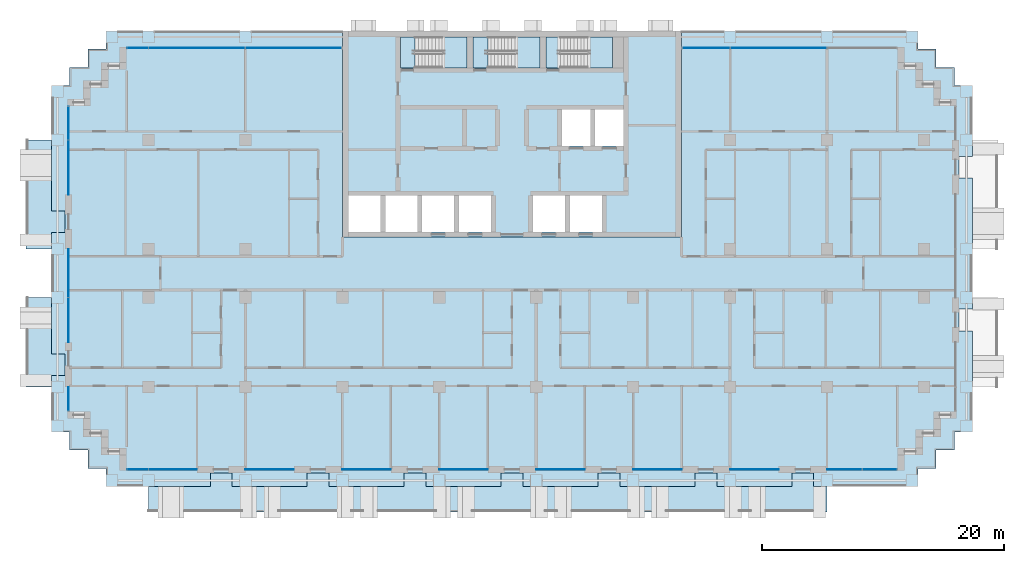
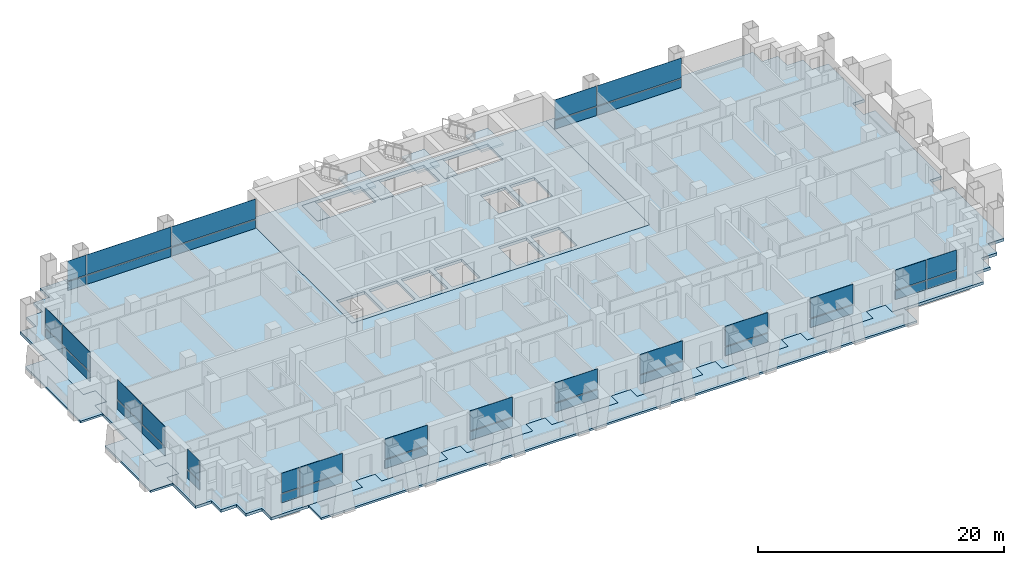
# One storey, part 7 of 18: 40 plates, 11 slabs, 16 elements without a shape of their own.
"""IFC4 building model written with IfcOpenShell, lengths in metres."""

from ifc_helpers import new_model, si_unit, direction, frame, origin, origin_2d, place, context, subcontext, project, spatial, polyline, rectangle, outline, extrude, material, layer, layer_set, type_object, element, aggregate, save


model = new_model("IFC4")

# Units and contexts
model_context = context("Model", 3, precision=1e-05, world=origin(), true_north=direction((0.0, 1.0)))
body_context = subcontext(model_context, "Body", "Model", "MODEL_VIEW")
ifc_project = project(units=[si_unit("LENGTHUNIT", "METRE"), si_unit("AREAUNIT", "SQUARE_METRE"), si_unit("VOLUMEUNIT", "CUBIC_METRE"), si_unit("PLANEANGLEUNIT", "RADIAN"), si_unit("MASSUNIT", "GRAM", prefix="KILO")], contexts=[model_context])

# Site, building, storey
site_placement = place(None, origin())
site = spatial("IfcSite", under=ifc_project, at=site_placement, CompositionType="ELEMENT")
building_placement = place(site_placement, origin())
building = spatial("IfcBuilding", under=site, at=building_placement, Name="Vidyagriha Tower", CompositionType="ELEMENT")
storey_placement = place(building_placement, frame((0.0, 0.0, 48.0)))
storey = spatial("IfcBuildingStorey", under=building, at=storey_placement, Name="L12", CompositionType="ELEMENT", Elevation=48.0)

# Curtain wall, plate
ifc_material_1 = material(Name="Aluminium and glass curtain wall", Category="aluminium")
curtain_wall_type = type_object("IfcCurtainWallType", Name="Dwelling skin unitised curtain wall", PredefinedType="USERDEFINED", material=ifc_material_1)
curtain_wall_1_placement = place(storey_placement, origin())
curtain_wall_1 = element("IfcCurtainWall", 1, at=curtain_wall_1_placement, inside=storey, type_object=curtain_wall_type, Name="CW1 dwelling skin", ObjectType="UNITISED", PredefinedType="USERDEFINED")
ifc_material_2 = material(Name="Glass dark ceramic-fritted spandrel", Category="glass")
ifc_layer_1 = layer(ifc_material_2, 0.0400390625)
ifc_layer_set_1 = layer_set([ifc_layer_1], Name="Glass dark ceramic-fritted spandrel")
plate_type_1 = type_object("IfcPlateType", Name="Ceramic-fritted spandrel panel", PredefinedType="CURTAIN_PANEL", material=ifc_layer_set_1)
plate_1_placement = place(storey_placement, frame((16.017578125, 18.60009765625, 0.0), z_axis=(0.0, 0.0, 1.0), x_axis=(-1.0, 0.0, 0.0)))
plate_1 = element("IfcPlate", 2, at=plate_1_placement, type_object=plate_type_1, Name="CW1 panel 3.1", PredefinedType="CURTAIN_PANEL", context=body_context, shape_type="SweptSolid", body=[
    extrude(rectangle(XDim=3.89501953125, YDim=0.0400390625, at=origin_2d()), origin(), (0.0, 0.0, 1.0), 0.85009765625),
])

# Curtain wall, plates
curtain_wall_2_placement = place(storey_placement, origin())
curtain_wall_2 = element("IfcCurtainWall", 3, at=curtain_wall_2_placement, inside=storey, type_object=curtain_wall_type, Name="CW1 dwelling skin", ObjectType="UNITISED", PredefinedType="USERDEFINED")
plate_2_placement = place(storey_placement, frame((-18.017578125, 18.60009765625, 0.0), z_axis=(0.0, 0.0, 1.0), x_axis=(-1.0, 0.0, 0.0)))
plate_2 = element("IfcPlate", 4, at=plate_2_placement, type_object=plate_type_1, Name="CW1 panel 1.1", PredefinedType="CURTAIN_PANEL", context=body_context, shape_type="SweptSolid", body=[
    extrude(rectangle(XDim=7.89501953125, YDim=0.0400390625, at=origin_2d()), origin(), (0.0, 0.0, 1.0), 0.85009765625),
])
plate_3_placement = place(storey_placement, frame((-30.882568359375, 18.60009765625, 0.0), z_axis=(0.0, 0.0, 1.0), x_axis=(-1.0, 0.0, 0.0)))
plate_3 = element("IfcPlate", 5, at=plate_3_placement, type_object=plate_type_1, Name="CW1 panel 3.1", PredefinedType="CURTAIN_PANEL", context=body_context, shape_type="SweptSolid", body=[
    extrude(rectangle(XDim=1.695068359375, YDim=0.0400390625, at=origin_2d()), origin(), (0.0, 0.0, 1.0), 0.85009765625),
])

curtain_wall_3_placement = place(storey_placement, origin())
curtain_wall_3 = element("IfcCurtainWall", 6, at=curtain_wall_3_placement, inside=storey, type_object=curtain_wall_type, Name="CW1 dwelling skin", ObjectType="UNITISED", PredefinedType="USERDEFINED")
plate_4_placement = place(storey_placement, frame((-36.60009765625, 12.382568359375, 0.0), z_axis=(0.0, 0.0, 1.0), x_axis=(0.0, -1.0, 0.0)))
plate_4 = element("IfcPlate", 7, at=plate_4_placement, type_object=plate_type_1, Name="CW1 panel 1.1", PredefinedType="CURTAIN_PANEL", context=body_context, shape_type="SweptSolid", body=[
    extrude(rectangle(XDim=2.695068359375, YDim=0.0400390625, at=origin_2d()), origin(), (0.0, 0.0, 1.0), 0.85009765625),
])
plate_5_placement = place(storey_placement, frame((-36.60009765625, 8.732421875, 0.0), z_axis=(0.0, 0.0, 1.0), x_axis=(0.0, -1.0, 0.0)))
plate_5 = element("IfcPlate", 8, at=plate_5_placement, type_object=plate_type_1, Name="CW1 panel 2.1", PredefinedType="CURTAIN_PANEL", context=body_context, shape_type="SweptSolid", body=[
    extrude(rectangle(XDim=4.465087890625, YDim=0.0400390625, at=origin_2d()), origin(), (0.0, 0.0, 1.0), 0.85009765625),
])

# Curtain wall, plate
curtain_wall_4_placement = place(storey_placement, origin())
curtain_wall_4 = element("IfcCurtainWall", 9, at=curtain_wall_4_placement, inside=storey, type_object=curtain_wall_type, Name="CW1 dwelling skin", ObjectType="UNITISED", PredefinedType="USERDEFINED")
plate_6_placement = place(storey_placement, frame((-36.60009765625, -10.364990234375, 0.0), z_axis=(0.0, 0.0, 1.0), x_axis=(0.0, -1.0, 0.0)))
plate_6 = element("IfcPlate", 10, at=plate_6_placement, type_object=plate_type_1, Name="CW1 panel 1.1", PredefinedType="CURTAIN_PANEL", context=body_context, shape_type="SweptSolid", body=[
    extrude(rectangle(XDim=1.929931640625, YDim=0.0400390625, at=origin_2d()), origin(), (0.0, 0.0, 1.0), 0.85009765625),
])

# Curtain wall, plates
curtain_wall_5_placement = place(storey_placement, origin())
curtain_wall_5 = element("IfcCurtainWall", 11, at=curtain_wall_5_placement, inside=storey, type_object=curtain_wall_type, Name="CW1 dwelling skin", ObjectType="UNITISED", PredefinedType="USERDEFINED")
plate_7_placement = place(storey_placement, frame((-30.882568359375, -16.199951171875, 0.0)))
plate_7 = element("IfcPlate", 12, at=plate_7_placement, type_object=plate_type_1, Name="CW1 panel 1.1", PredefinedType="CURTAIN_PANEL", context=body_context, shape_type="SweptSolid", body=[
    extrude(rectangle(XDim=1.695068359375, YDim=0.0400390625, at=origin_2d()), origin(), (0.0, 0.0, 1.0), 0.85009765625),
])
plate_8_placement = place(storey_placement, frame((-27.982421875, -16.199951171875, 0.0)))
plate_8 = element("IfcPlate", 13, at=plate_8_placement, type_object=plate_type_1, Name="CW1 panel 2.1", PredefinedType="CURTAIN_PANEL", context=body_context, shape_type="SweptSolid", body=[
    extrude(rectangle(XDim=3.965087890625, YDim=0.0400390625, at=origin_2d()), origin(), (0.0, 0.0, 1.0), 0.85009765625),
])

# Curtain wall, plate
curtain_wall_6_placement = place(storey_placement, origin())
curtain_wall_6 = element("IfcCurtainWall", 14, at=curtain_wall_6_placement, inside=storey, type_object=curtain_wall_type, Name="CW1 dwelling skin", ObjectType="UNITISED", PredefinedType="USERDEFINED")
plate_9_placement = place(storey_placement, frame((-12.0, -16.199951171875, 0.0)))
plate_9 = element("IfcPlate", 15, at=plate_9_placement, type_object=plate_type_1, Name="CW1 panel 1.1", PredefinedType="CURTAIN_PANEL", context=body_context, shape_type="SweptSolid", body=[
    extrude(rectangle(XDim=4.0, YDim=0.0400390625, at=origin_2d()), origin(), (0.0, 0.0, 1.0), 0.85009765625),
])

curtain_wall_7_placement = place(storey_placement, origin())
curtain_wall_7 = element("IfcCurtainWall", 16, at=curtain_wall_7_placement, inside=storey, type_object=curtain_wall_type, Name="CW1 dwelling skin", ObjectType="UNITISED", PredefinedType="USERDEFINED")
plate_10_placement = place(storey_placement, frame((4.0, -16.199951171875, 0.0)))
plate_10 = element("IfcPlate", 17, at=plate_10_placement, type_object=plate_type_1, Name="CW1 panel 1.1", PredefinedType="CURTAIN_PANEL", context=body_context, shape_type="SweptSolid", body=[
    extrude(rectangle(XDim=4.0, YDim=0.0400390625, at=origin_2d()), origin(), (0.0, 0.0, 1.0), 0.85009765625),
])

curtain_wall_8_placement = place(storey_placement, origin())
curtain_wall_8 = element("IfcCurtainWall", 18, at=curtain_wall_8_placement, inside=storey, type_object=curtain_wall_type, Name="CW1 dwelling skin", ObjectType="UNITISED", PredefinedType="USERDEFINED")
plate_11_placement = place(storey_placement, frame((20.0, -16.199951171875, 0.0)))
plate_11 = element("IfcPlate", 19, at=plate_11_placement, type_object=plate_type_1, Name="CW1 panel 1.1", PredefinedType="CURTAIN_PANEL", context=body_context, shape_type="SweptSolid", body=[
    extrude(rectangle(XDim=4.0, YDim=0.0400390625, at=origin_2d()), origin(), (0.0, 0.0, 1.0), 0.85009765625),
])

curtain_wall_9_placement = place(storey_placement, origin())
curtain_wall_9 = element("IfcCurtainWall", 20, at=curtain_wall_9_placement, inside=storey, type_object=curtain_wall_type, Name="CW1 dwelling skin", ObjectType="UNITISED", PredefinedType="USERDEFINED")
plate_12_placement = place(storey_placement, frame((30.33251953125, -16.199951171875, 0.0)))
plate_12 = element("IfcPlate", 21, at=plate_12_placement, type_object=plate_type_1, Name="CW1 panel 2.1", PredefinedType="CURTAIN_PANEL", context=body_context, shape_type="SweptSolid", body=[
    extrude(rectangle(XDim=2.794921875, YDim=0.0400390625, at=origin_2d()), origin(), (0.0, 0.0, 1.0), 0.85009765625),
])

# Slab
ifc_material_3 = material(Name="Concrete C60/75", Category="concrete")
ifc_layer_2 = layer(ifc_material_3, 0.280029296875)
ifc_layer_set_2 = layer_set([ifc_layer_2], Name="Concrete C60/75")
slab_type_1 = type_object("IfcSlabType", Name="Core floor slab 280 mm", PredefinedType="FLOOR", material=ifc_layer_set_2)
slab_1_placement = place(storey_placement, frame((0.0, 0.0, -0.280029296875)))
element("IfcSlab", 22, at=slab_1_placement, inside=storey, type_object=slab_type_1, Name="L12 core floor 1", PredefinedType="FLOOR", context=body_context, shape_type="SweptSolid", body=[
    extrude(outline(polyline([(-14.0, 3.0), (-14.0, 20.0), (14.0, 20.0), (14.0, 3.0), (-14.0, 3.0)]), holes=[polyline([(9.199951171875, 13.5), (6.86669921875, 13.5), (6.86669921875, 10.5), (9.199951171875, 10.5), (9.199951171875, 13.5)]), polyline([(4.0, 19.5), (2.800048828125, 19.5), (2.800048828125, 16.949951171875), (4.0, 16.949951171875), (8.300048828125, 16.949951171875), (8.300048828125, 19.5), (4.0, 19.5)]), polyline([(7.4111328125, 6.39990234375), (4.7666015625, 6.39990234375), (4.7666015625, 3.39990234375), (7.4111328125, 3.39990234375), (7.4111328125, 6.39990234375)]), polyline([(6.466796875, 13.5), (4.13330078125, 13.5), (4.13330078125, 10.5), (6.466796875, 10.5), (6.466796875, 13.5)]), polyline([(1.72216796875, 6.39990234375), (1.72216796875, 3.39990234375), (4.36669921875, 3.39990234375), (4.36669921875, 6.39990234375), (1.72216796875, 6.39990234375)]), polyline([(-2.0, 16.949951171875), (2.300048828125, 16.949951171875), (2.300048828125, 19.5), (-2.0, 19.5), (-3.199951171875, 19.5), (-3.199951171875, 16.949951171875), (-2.0, 16.949951171875)]), polyline([(-1.72216796875, 6.39990234375), (-4.36669921875, 6.39990234375), (-4.36669921875, 3.39990234375), (-1.72216796875, 3.39990234375), (-1.72216796875, 6.39990234375)]), polyline([(-8.0, 19.5), (-9.199951171875, 19.5), (-9.199951171875, 16.949951171875), (-8.0, 16.949951171875), (-3.699951171875, 16.949951171875), (-3.699951171875, 19.5), (-8.0, 19.5)]), polyline([(-4.7666015625, 6.39990234375), (-7.4111328125, 6.39990234375), (-7.4111328125, 3.39990234375), (-4.7666015625, 3.39990234375), (-4.7666015625, 6.39990234375)]), polyline([(-7.81103515625, 6.39990234375), (-10.45556640625, 6.39990234375), (-10.45556640625, 3.39990234375), (-7.81103515625, 3.39990234375), (-7.81103515625, 6.39990234375)]), polyline([(-13.5, 6.39990234375), (-13.5, 3.39990234375), (-10.855712890625, 3.39990234375), (-10.855712890625, 6.39990234375), (-13.5, 6.39990234375)])]), origin(), (0.0, 0.0, 1.0), 0.280029296875),
])

# Plate
ifc_material_4 = material(Name="Glass dark ceramic-fritted", Category="glass")
ifc_layer_3 = layer(ifc_material_4, 0.028076171875)
ifc_layer_set_3 = layer_set([ifc_layer_3], Name="Glass dark ceramic-fritted")
plate_type_2 = type_object("IfcPlateType", Name="Dark ceramic-fritted vision glass panel", PredefinedType="CURTAIN_PANEL", material=ifc_layer_set_3)
plate_13_placement = place(storey_placement, frame((22.0, 18.60009765625, 0.9501953125), z_axis=(0.0, 0.0, 1.0), x_axis=(-1.0, 0.0, 0.0)))
plate_13 = element("IfcPlate", 23, at=plate_13_placement, type_object=plate_type_2, Name="CW1 panel 2.2", PredefinedType="CURTAIN_PANEL", context=body_context, shape_type="SweptSolid", body=[
    extrude(rectangle(XDim=7.929931640625, YDim=0.028076171875, at=origin_2d()), origin(), (0.0, 0.0, 1.0), 1.969970703125),
])

plate_14_placement = place(storey_placement, frame((16.017578125, 18.60009765625, 0.9501953125), z_axis=(0.0, 0.0, 1.0), x_axis=(-1.0, 0.0, 0.0)))
plate_14 = element("IfcPlate", 24, at=plate_14_placement, type_object=plate_type_2, Name="CW1 panel 3.2", PredefinedType="CURTAIN_PANEL", context=body_context, shape_type="SweptSolid", body=[
    extrude(rectangle(XDim=3.89501953125, YDim=0.028076171875, at=origin_2d()), origin(), (0.0, 0.0, 1.0), 1.969970703125),
])

plate_15_placement = place(storey_placement, frame((-18.017578125, 18.60009765625, 0.9501953125), z_axis=(0.0, 0.0, 1.0), x_axis=(-1.0, 0.0, 0.0)))
plate_15 = element("IfcPlate", 25, at=plate_15_placement, type_object=plate_type_2, Name="CW1 panel 1.2", PredefinedType="CURTAIN_PANEL", context=body_context, shape_type="SweptSolid", body=[
    extrude(rectangle(XDim=7.89501953125, YDim=0.028076171875, at=origin_2d()), origin(), (0.0, 0.0, 1.0), 1.969970703125),
])

plate_16_placement = place(storey_placement, frame((-26.0, 18.60009765625, 0.9501953125), z_axis=(0.0, 0.0, 1.0), x_axis=(-1.0, 0.0, 0.0)))
plate_16 = element("IfcPlate", 26, at=plate_16_placement, type_object=plate_type_2, Name="CW1 panel 2.2", PredefinedType="CURTAIN_PANEL", context=body_context, shape_type="SweptSolid", body=[
    extrude(rectangle(XDim=7.929931640625, YDim=0.028076171875, at=origin_2d()), origin(), (0.0, 0.0, 1.0), 1.969970703125),
])

plate_17_placement = place(storey_placement, frame((-30.882568359375, 18.60009765625, 0.9501953125), z_axis=(0.0, 0.0, 1.0), x_axis=(-1.0, 0.0, 0.0)))
plate_17 = element("IfcPlate", 27, at=plate_17_placement, type_object=plate_type_2, Name="CW1 panel 3.2", PredefinedType="CURTAIN_PANEL", context=body_context, shape_type="SweptSolid", body=[
    extrude(rectangle(XDim=1.695068359375, YDim=0.028076171875, at=origin_2d()), origin(), (0.0, 0.0, 1.0), 1.969970703125),
])

plate_18_placement = place(storey_placement, frame((-36.60009765625, 12.382568359375, 0.9501953125), z_axis=(0.0, 0.0, 1.0), x_axis=(0.0, -1.0, 0.0)))
plate_18 = element("IfcPlate", 28, at=plate_18_placement, type_object=plate_type_2, Name="CW1 panel 1.2", PredefinedType="CURTAIN_PANEL", context=body_context, shape_type="SweptSolid", body=[
    extrude(rectangle(XDim=2.695068359375, YDim=0.028076171875, at=origin_2d()), origin(), (0.0, 0.0, 1.0), 1.969970703125),
])

plate_19_placement = place(storey_placement, frame((-36.60009765625, 8.732421875, 0.9501953125), z_axis=(0.0, 0.0, 1.0), x_axis=(0.0, -1.0, 0.0)))
plate_19 = element("IfcPlate", 29, at=plate_19_placement, type_object=plate_type_2, Name="CW1 panel 2.2", PredefinedType="CURTAIN_PANEL", context=body_context, shape_type="SweptSolid", body=[
    extrude(rectangle(XDim=4.465087890625, YDim=0.028076171875, at=origin_2d()), origin(), (0.0, 0.0, 1.0), 1.969970703125),
])

aggregate(curtain_wall_3, [plate_4, plate_18, plate_5, plate_19])

# Curtain wall, plates
curtain_wall_10_placement = place(storey_placement, origin())
curtain_wall_10 = element("IfcCurtainWall", 30, at=curtain_wall_10_placement, inside=storey, type_object=curtain_wall_type, Name="CW1 dwelling skin", ObjectType="UNITISED", PredefinedType="USERDEFINED")
plate_20_placement = place(storey_placement, frame((-36.60009765625, 0.017578125, 0.9501953125), z_axis=(0.0, 0.0, 1.0), x_axis=(0.0, -1.0, 0.0)))
plate_20 = element("IfcPlate", 31, at=plate_20_placement, type_object=plate_type_2, Name="CW1 panel 1.2", PredefinedType="CURTAIN_PANEL", context=body_context, shape_type="SweptSolid", body=[
    extrude(rectangle(XDim=3.965087890625, YDim=0.028076171875, at=origin_2d()), origin(), (0.0, 0.0, 1.0), 1.969970703125),
])
plate_21_placement = place(storey_placement, frame((-36.60009765625, -3.867431640625, 0.9501953125), z_axis=(0.0, 0.0, 1.0), x_axis=(0.0, -1.0, 0.0)))
plate_21 = element("IfcPlate", 32, at=plate_21_placement, type_object=plate_type_2, Name="CW1 panel 2.2", PredefinedType="CURTAIN_PANEL", context=body_context, shape_type="SweptSolid", body=[
    extrude(rectangle(XDim=3.6650390625, YDim=0.028076171875, at=origin_2d()), origin(), (0.0, 0.0, 1.0), 1.969970703125),
])

# Plate
plate_22_placement = place(storey_placement, frame((-36.60009765625, -10.364990234375, 0.9501953125), z_axis=(0.0, 0.0, 1.0), x_axis=(0.0, -1.0, 0.0)))
plate_22 = element("IfcPlate", 33, at=plate_22_placement, type_object=plate_type_2, Name="CW1 panel 1.2", PredefinedType="CURTAIN_PANEL", context=body_context, shape_type="SweptSolid", body=[
    extrude(rectangle(XDim=1.929931640625, YDim=0.028076171875, at=origin_2d()), origin(), (0.0, 0.0, 1.0), 1.969970703125),
])

aggregate(curtain_wall_4, [plate_6, plate_22])

plate_23_placement = place(storey_placement, frame((-30.882568359375, -16.199951171875, 0.9501953125)))
plate_23 = element("IfcPlate", 34, at=plate_23_placement, type_object=plate_type_2, Name="CW1 panel 1.2", PredefinedType="CURTAIN_PANEL", context=body_context, shape_type="SweptSolid", body=[
    extrude(rectangle(XDim=1.695068359375, YDim=0.028076171875, at=origin_2d()), origin(), (0.0, 0.0, 1.0), 1.969970703125),
])

plate_24_placement = place(storey_placement, frame((-27.982421875, -16.199951171875, 0.9501953125)))
plate_24 = element("IfcPlate", 35, at=plate_24_placement, type_object=plate_type_2, Name="CW1 panel 2.2", PredefinedType="CURTAIN_PANEL", context=body_context, shape_type="SweptSolid", body=[
    extrude(rectangle(XDim=3.965087890625, YDim=0.028076171875, at=origin_2d()), origin(), (0.0, 0.0, 1.0), 1.969970703125),
])

aggregate(curtain_wall_5, [plate_7, plate_23, plate_8, plate_24])

# Curtain wall, plate
curtain_wall_11_placement = place(storey_placement, origin())
curtain_wall_11 = element("IfcCurtainWall", 36, at=curtain_wall_11_placement, inside=storey, type_object=curtain_wall_type, Name="CW1 dwelling skin", ObjectType="UNITISED", PredefinedType="USERDEFINED")
plate_25_placement = place(storey_placement, frame((-20.0, -16.199951171875, 0.9501953125)))
plate_25 = element("IfcPlate", 37, at=plate_25_placement, type_object=plate_type_2, Name="CW1 panel 1.2", PredefinedType="CURTAIN_PANEL", context=body_context, shape_type="SweptSolid", body=[
    extrude(rectangle(XDim=4.0, YDim=0.028076171875, at=origin_2d()), origin(), (0.0, 0.0, 1.0), 1.969970703125),
])

# Plate
plate_26_placement = place(storey_placement, frame((-12.0, -16.199951171875, 0.9501953125)))
plate_26 = element("IfcPlate", 38, at=plate_26_placement, type_object=plate_type_2, Name="CW1 panel 1.2", PredefinedType="CURTAIN_PANEL", context=body_context, shape_type="SweptSolid", body=[
    extrude(rectangle(XDim=4.0, YDim=0.028076171875, at=origin_2d()), origin(), (0.0, 0.0, 1.0), 1.969970703125),
])

aggregate(curtain_wall_6, [plate_9, plate_26])

# Curtain wall, plate
curtain_wall_12_placement = place(storey_placement, origin())
curtain_wall_12 = element("IfcCurtainWall", 39, at=curtain_wall_12_placement, inside=storey, type_object=curtain_wall_type, Name="CW1 dwelling skin", ObjectType="UNITISED", PredefinedType="USERDEFINED")
plate_27_placement = place(storey_placement, frame((-4.0, -16.199951171875, 0.9501953125)))
plate_27 = element("IfcPlate", 40, at=plate_27_placement, type_object=plate_type_2, Name="CW1 panel 1.2", PredefinedType="CURTAIN_PANEL", context=body_context, shape_type="SweptSolid", body=[
    extrude(rectangle(XDim=4.0, YDim=0.028076171875, at=origin_2d()), origin(), (0.0, 0.0, 1.0), 1.969970703125),
])

# Plate
plate_28_placement = place(storey_placement, frame((4.0, -16.199951171875, 0.9501953125)))
plate_28 = element("IfcPlate", 41, at=plate_28_placement, type_object=plate_type_2, Name="CW1 panel 1.2", PredefinedType="CURTAIN_PANEL", context=body_context, shape_type="SweptSolid", body=[
    extrude(rectangle(XDim=4.0, YDim=0.028076171875, at=origin_2d()), origin(), (0.0, 0.0, 1.0), 1.969970703125),
])

aggregate(curtain_wall_7, [plate_10, plate_28])

# Curtain wall, plate
curtain_wall_13_placement = place(storey_placement, origin())
curtain_wall_13 = element("IfcCurtainWall", 42, at=curtain_wall_13_placement, inside=storey, type_object=curtain_wall_type, Name="CW1 dwelling skin", ObjectType="UNITISED", PredefinedType="USERDEFINED")
plate_29_placement = place(storey_placement, frame((12.0, -16.199951171875, 0.9501953125)))
plate_29 = element("IfcPlate", 43, at=plate_29_placement, type_object=plate_type_2, Name="CW1 panel 1.2", PredefinedType="CURTAIN_PANEL", context=body_context, shape_type="SweptSolid", body=[
    extrude(rectangle(XDim=4.0, YDim=0.028076171875, at=origin_2d()), origin(), (0.0, 0.0, 1.0), 1.969970703125),
])

# Plate
plate_30_placement = place(storey_placement, frame((20.0, -16.199951171875, 0.9501953125)))
plate_30 = element("IfcPlate", 44, at=plate_30_placement, type_object=plate_type_2, Name="CW1 panel 1.2", PredefinedType="CURTAIN_PANEL", context=body_context, shape_type="SweptSolid", body=[
    extrude(rectangle(XDim=4.0, YDim=0.028076171875, at=origin_2d()), origin(), (0.0, 0.0, 1.0), 1.969970703125),
])

aggregate(curtain_wall_8, [plate_11, plate_30])

plate_31_placement = place(storey_placement, frame((27.4326171875, -16.199951171875, 0.9501953125)))
plate_31 = element("IfcPlate", 45, at=plate_31_placement, type_object=plate_type_2, Name="CW1 panel 1.2", PredefinedType="CURTAIN_PANEL", context=body_context, shape_type="SweptSolid", body=[
    extrude(rectangle(XDim=2.864990234375, YDim=0.028076171875, at=origin_2d()), origin(), (0.0, 0.0, 1.0), 1.969970703125),
])

plate_32_placement = place(storey_placement, frame((30.33251953125, -16.199951171875, 0.9501953125)))
plate_32 = element("IfcPlate", 46, at=plate_32_placement, type_object=plate_type_2, Name="CW1 panel 2.2", PredefinedType="CURTAIN_PANEL", context=body_context, shape_type="SweptSolid", body=[
    extrude(rectangle(XDim=2.794921875, YDim=0.028076171875, at=origin_2d()), origin(), (0.0, 0.0, 1.0), 1.969970703125),
])

# Slabs
ifc_material_5 = material(Name="Concrete C40/50", Category="concrete")
ifc_layer_4 = layer(ifc_material_5, 0.280029296875)
ifc_layer_set_4 = layer_set([ifc_layer_4], Name="Concrete C40/50")
slab_type_2 = type_object("IfcSlabType", Name="Exit stair floor landing 280 mm", PredefinedType="LANDING", material=ifc_layer_set_4)
slab_2_placement = place(storey_placement, frame((0.0, 0.0, -0.280029296875)))
element("IfcSlab", 47, at=slab_2_placement, inside=storey, type_object=slab_type_2, Name="ST1 floor landing L12", PredefinedType="LANDING", context=body_context, shape_type="SweptSolid", body=[
    extrude(outline(polyline([(-9.199951171875, 16.949951171875), (-8.0, 16.949951171875), (-8.0, 19.5), (-9.199951171875, 19.5), (-9.199951171875, 16.949951171875)])), origin(), (0.0, 0.0, 1.0), 0.280029296875),
])
slab_3_placement = place(storey_placement, frame((0.0, 0.0, -0.280029296875)))
element("IfcSlab", 48, at=slab_3_placement, inside=storey, type_object=slab_type_2, Name="ST2 floor landing L12", PredefinedType="LANDING", context=body_context, shape_type="SweptSolid", body=[
    extrude(outline(polyline([(-3.199951171875, 16.949951171875), (-2.0, 16.949951171875), (-2.0, 19.5), (-3.199951171875, 19.5), (-3.199951171875, 16.949951171875)])), origin(), (0.0, 0.0, 1.0), 0.280029296875),
])
slab_4_placement = place(storey_placement, frame((0.0, 0.0, -0.280029296875)))
element("IfcSlab", 49, at=slab_4_placement, inside=storey, type_object=slab_type_2, Name="ST3 floor landing L12", PredefinedType="LANDING", context=body_context, shape_type="SweptSolid", body=[
    extrude(outline(polyline([(2.800048828125, 16.949951171875), (4.0, 16.949951171875), (4.0, 19.5), (2.800048828125, 19.5), (2.800048828125, 16.949951171875)])), origin(), (0.0, 0.0, 1.0), 0.280029296875),
])

# Stair, slab
ifc_material_6 = material(Name="Concrete C40/50", Category="concrete")
stair_type = type_object("IfcStairType", Name="Exit stair, half-turn, precast flights", PredefinedType="HALF_TURN_STAIR", material=ifc_material_6)
stair_1_placement = place(storey_placement, origin())
stair_1 = element("IfcStair", 50, at=stair_1_placement, inside=storey, type_object=stair_type, Name="L12 Exit Stair ST1", PredefinedType="HALF_TURN_STAIR")
ifc_material_7 = material(Name="Concrete C40/50", Category="concrete")
ifc_layer_5 = layer(ifc_material_7, 0.199951171875)
ifc_layer_set_5 = layer_set([ifc_layer_5], Name="Concrete C40/50")
slab_type_3 = type_object("IfcSlabType", Name="Exit stair landing 200 mm", PredefinedType="LANDING", material=ifc_layer_set_5)
slab_5_placement = place(storey_placement, frame((0.0, 0.0, 1.39990234375)))
slab_5 = element("IfcSlab", 51, at=slab_5_placement, type_object=slab_type_3, Name="ST1 landing 1", PredefinedType="LANDING", context=body_context, shape_type="SweptSolid", body=[
    extrude(outline(polyline([(-5.760009765625, 16.949951171875), (-3.699951171875, 16.949951171875), (-3.699951171875, 19.5), (-5.760009765625, 19.5), (-5.760009765625, 16.949951171875)])), origin(), (0.0, 0.0, 1.0), 0.2001953125),
])
aggregate(stair_1, [slab_5])

stair_2_placement = place(storey_placement, origin())
stair_2 = element("IfcStair", 52, at=stair_2_placement, inside=storey, type_object=stair_type, Name="L12 Exit Stair ST2", PredefinedType="HALF_TURN_STAIR")
slab_6_placement = place(storey_placement, frame((0.0, 0.0, 1.39990234375)))
slab_6 = element("IfcSlab", 53, at=slab_6_placement, type_object=slab_type_3, Name="ST2 landing 1", PredefinedType="LANDING", context=body_context, shape_type="SweptSolid", body=[
    extrude(outline(polyline([(0.239990234375, 16.949951171875), (2.300048828125, 16.949951171875), (2.300048828125, 19.5), (0.239990234375, 19.5), (0.239990234375, 16.949951171875)])), origin(), (0.0, 0.0, 1.0), 0.2001953125),
])
aggregate(stair_2, [slab_6])

stair_3_placement = place(storey_placement, origin())
stair_3 = element("IfcStair", 54, at=stair_3_placement, inside=storey, type_object=stair_type, Name="L12 Exit Stair ST3", PredefinedType="HALF_TURN_STAIR")
slab_7_placement = place(storey_placement, frame((0.0, 0.0, 1.39990234375)))
slab_7 = element("IfcSlab", 55, at=slab_7_placement, type_object=slab_type_3, Name="ST3 landing 1", PredefinedType="LANDING", context=body_context, shape_type="SweptSolid", body=[
    extrude(outline(polyline([(6.239990234375, 16.949951171875), (8.300048828125, 16.949951171875), (8.300048828125, 19.5), (6.239990234375, 19.5), (6.239990234375, 16.949951171875)])), origin(), (0.0, 0.0, 1.0), 0.2001953125),
])
aggregate(stair_3, [slab_7])

# Plate
ifc_material_8 = material(Name="Aluminium black anodised", Category="aluminium")
ifc_layer_6 = layer(ifc_material_8, 0.06005859375)
ifc_layer_set_6 = layer_set([ifc_layer_6], Name="Aluminium black anodised")
plate_type_3 = type_object("IfcPlateType", Name="Operable black-metal vent panel", PredefinedType="CURTAIN_PANEL", material=ifc_layer_set_6)
plate_33_placement = place(storey_placement, frame((22.0, 18.60009765625, 0.0), z_axis=(0.0, 0.0, 1.0), x_axis=(-1.0, 0.0, 0.0)))
plate_33 = element("IfcPlate", 56, at=plate_33_placement, type_object=plate_type_3, Name="CW1 panel 2.1", PredefinedType="CURTAIN_PANEL", context=body_context, shape_type="SweptSolid", body=[
    extrude(rectangle(XDim=7.929931640625, YDim=0.06005859375, at=origin_2d()), origin(), (0.0, 0.0, 1.0), 0.85009765625),
])

aggregate(curtain_wall_1, [plate_33, plate_13, plate_1, plate_14])

plate_34_placement = place(storey_placement, frame((-26.0, 18.60009765625, 0.0), z_axis=(0.0, 0.0, 1.0), x_axis=(-1.0, 0.0, 0.0)))
plate_34 = element("IfcPlate", 57, at=plate_34_placement, type_object=plate_type_3, Name="CW1 panel 2.1", PredefinedType="CURTAIN_PANEL", context=body_context, shape_type="SweptSolid", body=[
    extrude(rectangle(XDim=7.929931640625, YDim=0.06005859375, at=origin_2d()), origin(), (0.0, 0.0, 1.0), 0.85009765625),
])

aggregate(curtain_wall_2, [plate_2, plate_15, plate_34, plate_16, plate_3, plate_17])

plate_35_placement = place(storey_placement, frame((-36.60009765625, 0.017578125, 0.0), z_axis=(0.0, 0.0, 1.0), x_axis=(0.0, -1.0, 0.0)))
plate_35 = element("IfcPlate", 58, at=plate_35_placement, type_object=plate_type_3, Name="CW1 panel 1.1", PredefinedType="CURTAIN_PANEL", context=body_context, shape_type="SweptSolid", body=[
    extrude(rectangle(XDim=3.965087890625, YDim=0.06005859375, at=origin_2d()), origin(), (0.0, 0.0, 1.0), 0.85009765625),
])

plate_36_placement = place(storey_placement, frame((-36.60009765625, -3.867431640625, 0.0), z_axis=(0.0, 0.0, 1.0), x_axis=(0.0, -1.0, 0.0)))
plate_36 = element("IfcPlate", 59, at=plate_36_placement, type_object=plate_type_3, Name="CW1 panel 2.1", PredefinedType="CURTAIN_PANEL", context=body_context, shape_type="SweptSolid", body=[
    extrude(rectangle(XDim=3.6650390625, YDim=0.06005859375, at=origin_2d()), origin(), (0.0, 0.0, 1.0), 0.85009765625),
])

aggregate(curtain_wall_10, [plate_35, plate_20, plate_36, plate_21])

plate_37_placement = place(storey_placement, frame((-20.0, -16.199951171875, 0.0)))
plate_37 = element("IfcPlate", 60, at=plate_37_placement, type_object=plate_type_3, Name="CW1 panel 1.1", PredefinedType="CURTAIN_PANEL", context=body_context, shape_type="SweptSolid", body=[
    extrude(rectangle(XDim=4.0, YDim=0.06005859375, at=origin_2d()), origin(), (0.0, 0.0, 1.0), 0.85009765625),
])

aggregate(curtain_wall_11, [plate_37, plate_25])

plate_38_placement = place(storey_placement, frame((-4.0, -16.199951171875, 0.0)))
plate_38 = element("IfcPlate", 61, at=plate_38_placement, type_object=plate_type_3, Name="CW1 panel 1.1", PredefinedType="CURTAIN_PANEL", context=body_context, shape_type="SweptSolid", body=[
    extrude(rectangle(XDim=4.0, YDim=0.06005859375, at=origin_2d()), origin(), (0.0, 0.0, 1.0), 0.85009765625),
])

aggregate(curtain_wall_12, [plate_38, plate_27])

plate_39_placement = place(storey_placement, frame((12.0, -16.199951171875, 0.0)))
plate_39 = element("IfcPlate", 62, at=plate_39_placement, type_object=plate_type_3, Name="CW1 panel 1.1", PredefinedType="CURTAIN_PANEL", context=body_context, shape_type="SweptSolid", body=[
    extrude(rectangle(XDim=4.0, YDim=0.06005859375, at=origin_2d()), origin(), (0.0, 0.0, 1.0), 0.85009765625),
])

aggregate(curtain_wall_13, [plate_39, plate_29])

plate_40_placement = place(storey_placement, frame((27.4326171875, -16.199951171875, 0.0)))
plate_40 = element("IfcPlate", 63, at=plate_40_placement, type_object=plate_type_3, Name="CW1 panel 1.1", PredefinedType="CURTAIN_PANEL", context=body_context, shape_type="SweptSolid", body=[
    extrude(rectangle(XDim=2.864990234375, YDim=0.06005859375, at=origin_2d()), origin(), (0.0, 0.0, 1.0), 0.85009765625),
])

aggregate(curtain_wall_9, [plate_40, plate_31, plate_12, plate_32])

# Slabs
ifc_material_9 = material(Name="Concrete C50/60", Category="concrete")
ifc_layer_7 = layer(ifc_material_9, 0.280029296875)
ifc_layer_set_7 = layer_set([ifc_layer_7], Name="Concrete C50/60")
slab_type_4 = type_object("IfcSlabType", Name="Post-tensioned flat plate 280", PredefinedType="FLOOR", material=ifc_layer_set_7)
slab_8_placement = place(storey_placement, frame((0.0, 0.0, -0.280029296875)))
element("IfcSlab", 64, at=slab_8_placement, inside=storey, type_object=slab_type_4, Name="st-slab-L12-1", PredefinedType="FLOOR", context=body_context, shape_type="SweptSolid", body=[
    extrude(outline(polyline([(36.5, -14.60009765625), (35.0, -14.60009765625), (35.0, -16.10009765625), (33.5, -16.10009765625), (33.5, -17.60009765625), (24.89990234375, -17.60009765625), (24.89990234375, -16.5), (23.10009765625, -16.5), (23.10009765625, -17.60009765625), (16.89990234375, -17.60009765625), (16.89990234375, -16.5), (15.10009765625, -16.5), (15.10009765625, -17.60009765625), (8.89990234375, -17.60009765625), (8.89990234375, -16.5), (7.10009765625, -16.5), (7.10009765625, -17.60009765625), (0.89990234375, -17.60009765625), (0.89990234375, -16.5), (-0.89990234375, -16.5), (-0.89990234375, -17.60009765625), (-7.10009765625, -17.60009765625), (-7.10009765625, -16.5), (-8.89990234375, -16.5), (-8.89990234375, -17.60009765625), (-15.10009765625, -17.60009765625), (-15.10009765625, -16.5), (-16.89990234375, -16.5), (-16.89990234375, -17.60009765625), (-23.10009765625, -17.60009765625), (-23.10009765625, -16.5), (-24.89990234375, -16.5), (-24.89990234375, -17.60009765625), (-33.5, -17.60009765625), (-33.5, -16.10009765625), (-35.0, -16.10009765625), (-35.0, -14.60009765625), (-36.5, -14.60009765625), (-36.5, -13.10009765625), (-38.0, -13.10009765625), (-38.0, -8.449951171875), (-36.89990234375, -8.449951171875), (-36.89990234375, -6.64990234375), (-38.0, -6.64990234375), (-38.0, 3.35009765625), (-36.89990234375, 3.35009765625), (-36.89990234375, 5.14990234375), (-38.0, 5.14990234375), (-38.0, 15.5), (-36.5, 15.5), (-36.5, 17.0), (-35.0, 17.0), (-35.0, 18.5), (-33.5, 18.5), (-33.5, 20.0), (-14.0, 20.0), (-14.0, 3.0), (14.0, 3.0), (14.0, 20.0), (33.5, 20.0), (33.5, 18.5), (35.0, 18.5), (35.0, 17.0), (36.5, 17.0), (36.5, 15.5), (38.0, 15.5), (38.0, 9.64990234375), (36.89990234375, 9.64990234375), (36.89990234375, 7.85009765625), (38.0, 7.85009765625), (38.0, -2.949951171875), (36.89990234375, -2.949951171875), (36.89990234375, -4.75), (38.0, -4.75), (38.0, -13.10009765625), (36.5, -13.10009765625), (36.5, -14.60009765625)])), origin(), (0.0, 0.0, 1.0), 0.280029296875),
])
ifc_material_10 = material(Name="Precast concrete C40/50", Category="concrete")
ifc_layer_8 = layer(ifc_material_10, 0.199951171875)
ifc_layer_set_8 = layer_set([ifc_layer_8], Name="Precast concrete C40/50")
slab_type_5 = type_object("IfcSlabType", Name="Precast balcony slab 200", PredefinedType="USERDEFINED", material=ifc_layer_set_8)
slab_9_placement = place(storey_placement, frame((0.0, 0.0, -0.199951171875)))
element("IfcSlab", 65, at=slab_9_placement, inside=storey, type_object=slab_type_5, Name="Balcony slab L12 R16.1-1", ObjectType="BALCONY", PredefinedType="USERDEFINED", context=body_context, shape_type="SweptSolid", body=[
    extrude(outline(polyline([(-36.89990234375, 3.35009765625), (-36.89990234375, 5.14990234375), (-38.0, 5.14990234375), (-38.0, 11.0), (-40.10009765625, 11.0), (-40.10009765625, 2.0), (-38.0, 2.0), (-38.0, 3.35009765625), (-36.89990234375, 3.35009765625)])), origin(), (0.0, 0.0, 1.0), 0.199951171875),
])
slab_10_placement = place(storey_placement, frame((0.0, 0.0, -0.199951171875)))
element("IfcSlab", 66, at=slab_10_placement, inside=storey, type_object=slab_type_5, Name="Balcony slab L12 R16.2-2", ObjectType="BALCONY", PredefinedType="USERDEFINED", context=body_context, shape_type="SweptSolid", body=[
    extrude(outline(polyline([(-36.89990234375, -8.449951171875), (-36.89990234375, -6.64990234375), (-38.0, -6.64990234375), (-38.0, -2.0), (-40.10009765625, -2.0), (-40.10009765625, -9.39990234375), (-38.0, -9.39990234375), (-38.0, -8.449951171875), (-36.89990234375, -8.449951171875)])), origin(), (0.0, 0.0, 1.0), 0.199951171875),
])
slab_11_placement = place(storey_placement, frame((0.0, 0.0, -0.199951171875)))
element("IfcSlab", 67, at=slab_11_placement, inside=storey, type_object=slab_type_5, Name="Balcony slab L12 R23.1-7", ObjectType="BALCONY", PredefinedType="USERDEFINED", context=body_context, shape_type="SweptSolid", body=[
    extrude(outline(polyline([(-23.10009765625, -16.5), (-24.89990234375, -16.5), (-24.89990234375, -17.60009765625), (-30.0, -17.60009765625), (-30.0, -19.699951171875), (26.0, -19.699951171875), (26.0, -17.60009765625), (24.89990234375, -17.60009765625), (24.89990234375, -16.5), (23.10009765625, -16.5), (23.10009765625, -17.60009765625), (16.89990234375, -17.60009765625), (16.89990234375, -16.5), (15.10009765625, -16.5), (15.10009765625, -17.60009765625), (8.89990234375, -17.60009765625), (8.89990234375, -16.5), (7.10009765625, -16.5), (7.10009765625, -17.60009765625), (0.89990234375, -17.60009765625), (0.89990234375, -16.5), (-0.89990234375, -16.5), (-0.89990234375, -17.60009765625), (-7.10009765625, -17.60009765625), (-7.10009765625, -16.5), (-8.89990234375, -16.5), (-8.89990234375, -17.60009765625), (-15.10009765625, -17.60009765625), (-15.10009765625, -16.5), (-16.89990234375, -16.5), (-16.89990234375, -17.60009765625), (-23.10009765625, -17.60009765625), (-23.10009765625, -16.5)])), origin(), (0.0, 0.0, 1.0), 0.199951171875),
])

save(model, "model.ifc")
